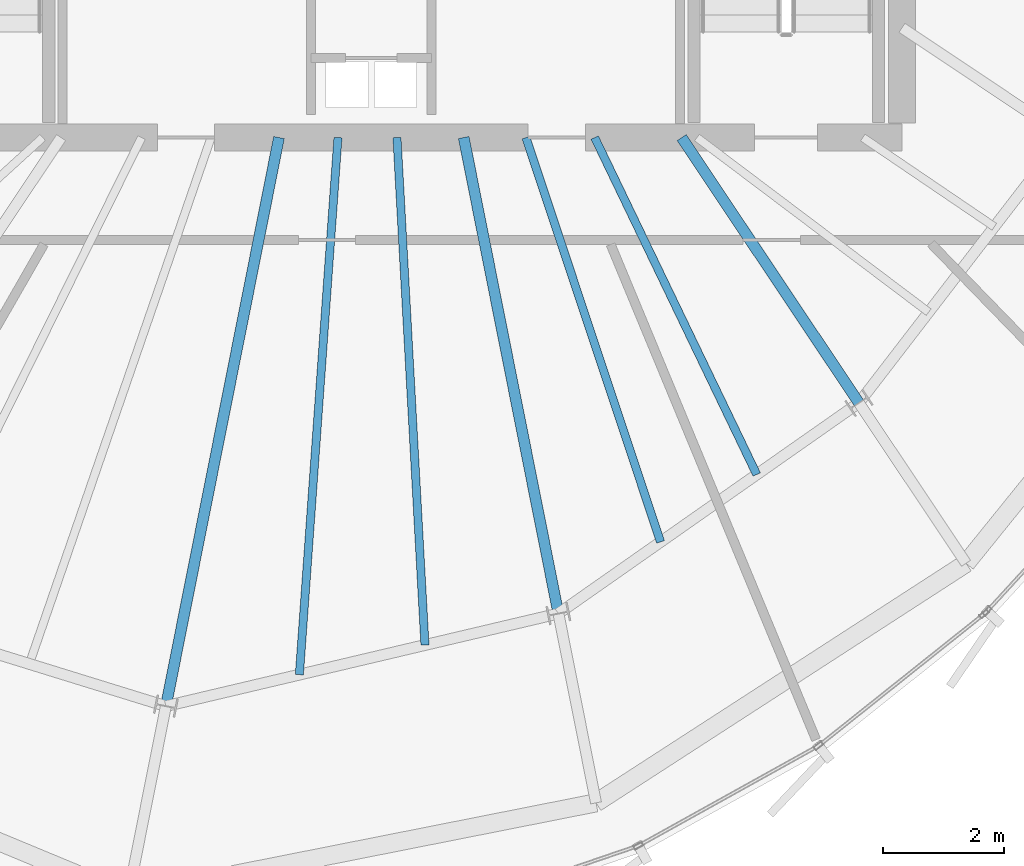
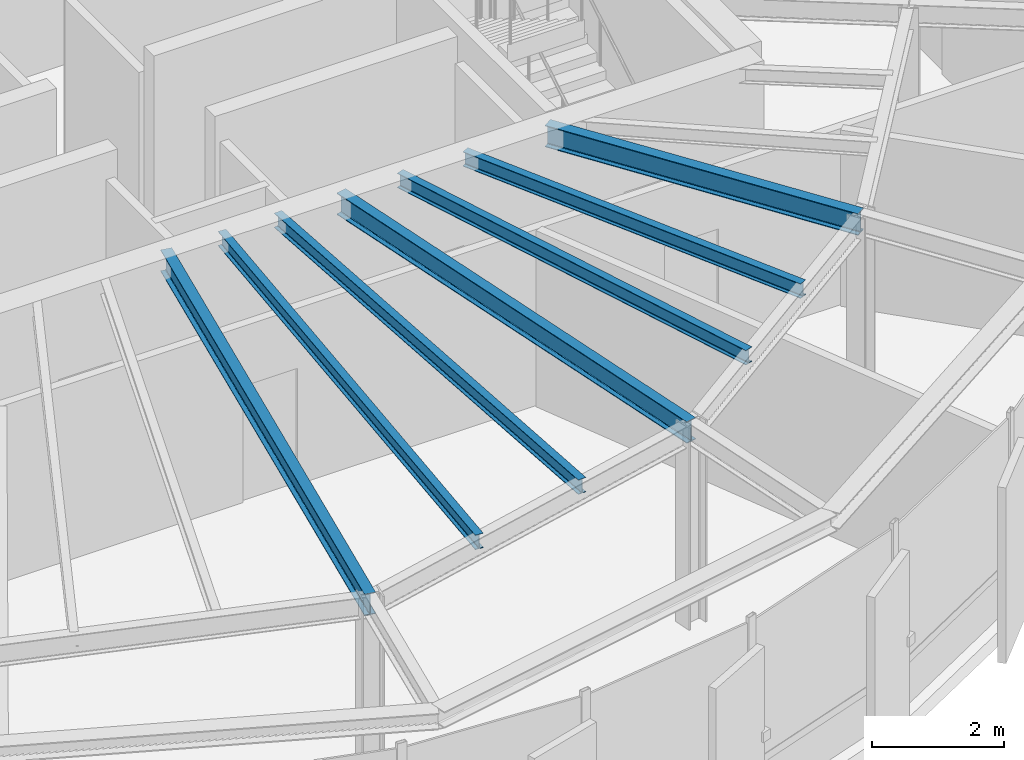
# One storey, part 8 of 27: 7 beams.
"""IFC4 building model written with IfcOpenShell, lengths in metres."""

from ifc_helpers import new_model, si_unit, direction, frame, origin, origin_2d, place, context, subcontext, project, spatial, i_section, extrude, source, transform, mapped, material, material_profile, profile_set, type_object, element, save


model = new_model("IFC4")

# Units and contexts
model_context = context("Model", 3, precision=1e-05, world=origin(), true_north=direction((0.0, 1.0)))
body_context = subcontext(model_context, "Body", "Model", "MODEL_VIEW")
ifc_project = project(units=[si_unit("LENGTHUNIT", "METRE"), si_unit("AREAUNIT", "SQUARE_METRE"), si_unit("VOLUMEUNIT", "CUBIC_METRE"), si_unit("PLANEANGLEUNIT", "RADIAN"), si_unit("MASSUNIT", "GRAM", prefix="KILO"), si_unit("THERMODYNAMICTEMPERATUREUNIT", "KELVIN")], contexts=[model_context])

# Site, building, storey
site_placement = place(None, origin())
site = spatial("IfcSite", under=ifc_project, at=site_placement, CompositionType="ELEMENT")
building_placement = place(site_placement, origin())
building = spatial("IfcBuilding", under=site, at=building_placement, Name="Kethvar Cultural Tower", CompositionType="ELEMENT")
storey_placement = place(building_placement, frame((0.0, 0.0, 308.300048828125)))
storey = spatial("IfcBuildingStorey", under=building, at=storey_placement, Name="L82", CompositionType="ELEMENT", Elevation=308.300048828125)

# Beams
ifc_material = material(Name="Steel S355J2", Category="steel")
ifc_material_profile_1 = material_profile(ifc_material, i_section(OverallWidth=0.135009765625, OverallDepth=0.27001953125, WebThickness=0.006591796875, FlangeThickness=0.01025390625, FilletRadius=0.014892578125, at=origin_2d()), Name="Steel S355J2 — IPE270")
ifc_profile_set_1 = profile_set([ifc_material_profile_1], Name="Steel S355J2 — IPE270")
beam_type_1 = type_object("IfcBeamType", Name="BM-J270", PredefinedType="JOIST", material=ifc_profile_set_1)
shared_shape_1 = source(origin(), body_context, "Body", "SweptSolid", [
    extrude(i_section(OverallWidth=0.135009765625, OverallDepth=0.27001953125, WebThickness=0.006591796875, FlangeThickness=0.01025390625, FilletRadius=0.014892578125, at=origin_2d()), origin(), (0.0, 0.0, 1.0), 8.9296875),
])
beam_1_placement = place(storey_placement, frame((46.246337890625, 20.10009765625, 3.597900390625), z_axis=(-0.071713352262, -0.99742528297, 0.0), x_axis=(0.99742528297, -0.071713352262, 0.0)))
element("IfcBeam", 1, at=beam_1_placement, inside=storey, type_object=beam_type_1, Name="L82 Composite Floor Joist J-12A", PredefinedType="JOIST", context=body_context, shape_type="MappedRepresentation", body=[
    mapped(shared_shape_1, transform((0.0, 0.0, 0.0), scale=1.0)),
])
shared_shape_2 = source(origin(), body_context, "Body", "SweptSolid", [
    extrude(i_section(OverallWidth=0.135009765625, OverallDepth=0.27001953125, WebThickness=0.006591796875, FlangeThickness=0.01025390625, FilletRadius=0.014892578125, at=origin_2d()), origin(), (0.0, 0.0, 1.0), 8.427978515625),
])
beam_2_placement = place(storey_placement, frame((47.224609375, 20.10009765625, 3.597900390625), z_axis=(0.055067321535, -0.998482643865, 0.0), x_axis=(0.998482643865, 0.055067321535, 0.0)))
element("IfcBeam", 2, at=beam_2_placement, inside=storey, type_object=beam_type_1, Name="L82 Composite Floor Joist J-12B", PredefinedType="JOIST", context=body_context, shape_type="MappedRepresentation", body=[
    mapped(shared_shape_2, transform((0.0, 0.0, 0.0), scale=1.0)),
])
shared_shape_3 = source(origin(), body_context, "Body", "SweptSolid", [
    extrude(i_section(OverallWidth=0.135009765625, OverallDepth=0.27001953125, WebThickness=0.006591796875, FlangeThickness=0.01025390625, FilletRadius=0.014892578125, at=origin_2d()), origin(), (0.0, 0.0, 1.0), 7.0673828125),
])
beam_3_placement = place(storey_placement, frame((49.363525390625, 20.10009765625, 3.597900390625), z_axis=(0.315875389768, -0.948800684095, 0.0), x_axis=(0.948800684095, 0.315875389768, 0.0)))
element("IfcBeam", 3, at=beam_3_placement, inside=storey, type_object=beam_type_1, Name="L82 Composite Floor Joist J-13A", PredefinedType="JOIST", context=body_context, shape_type="MappedRepresentation", body=[
    mapped(shared_shape_3, transform((0.0, 0.0, 0.0), scale=1.0)),
])
shared_shape_4 = source(origin(), body_context, "Body", "SweptSolid", [
    extrude(i_section(OverallWidth=0.135009765625, OverallDepth=0.27001953125, WebThickness=0.006591796875, FlangeThickness=0.01025390625, FilletRadius=0.014892578125, at=origin_2d()), origin(), (0.0, 0.0, 1.0), 6.2001953125),
])
beam_4_placement = place(storey_placement, frame((50.50341796875, 20.10009765625, 3.597900390625), z_axis=(0.433410678328, -0.901196529017, 0.0), x_axis=(0.901196529017, 0.433410678328, 0.0)))
element("IfcBeam", 4, at=beam_4_placement, inside=storey, type_object=beam_type_1, Name="L82 Composite Floor Joist J-13B", PredefinedType="JOIST", context=body_context, shape_type="MappedRepresentation", body=[
    mapped(shared_shape_4, transform((0.0, 0.0, 0.0), scale=1.0)),
])
ifc_material_profile_2 = material_profile(ifc_material, i_section(OverallWidth=0.179931640625, OverallDepth=0.39990234375, WebThickness=0.008544921875, FlangeThickness=0.013427734375, FilletRadius=0.02099609375, at=origin_2d()), Name="Steel S355J2 — IPE400")
ifc_profile_set_2 = profile_set([ifc_material_profile_2], Name="Steel S355J2 — IPE400")
beam_type_2 = type_object("IfcBeamType", Name="BM-IPE400", PredefinedType="BEAM", material=ifc_profile_set_2)
shared_shape_5 = source(origin(), body_context, "Body", "SweptSolid", [
    extrude(i_section(OverallWidth=0.179931640625, OverallDepth=0.39990234375, WebThickness=0.008544921875, FlangeThickness=0.013427734375, FilletRadius=0.02099609375, at=origin_2d()), origin(), (0.0, 0.0, 1.0), 9.613525390625),
])
beam_5_placement = place(storey_placement, frame((45.268310546875, 20.10009765625, 3.532958984375), z_axis=(-0.195090428816, -0.980785259159, 0.0), x_axis=(0.980785259159, -0.195090428816, 0.0)))
element("IfcBeam", 5, at=beam_5_placement, inside=storey, type_object=beam_type_2, Name="L82 Primary Radial Beam RB-12", PredefinedType="BEAM", context=body_context, shape_type="MappedRepresentation", body=[
    mapped(shared_shape_5, transform((0.0, 0.0, 0.0), scale=1.0)),
])
shared_shape_6 = source(origin(), body_context, "Body", "SweptSolid", [
    extrude(i_section(OverallWidth=0.179931640625, OverallDepth=0.39990234375, WebThickness=0.008544921875, FlangeThickness=0.013427734375, FilletRadius=0.02099609375, at=origin_2d()), origin(), (0.0, 0.0, 1.0), 8.0478515625),
])
beam_6_placement = place(storey_placement, frame((48.33154296875, 20.10009765625, 3.532958984375), z_axis=(0.195089278796, -0.980785487912, 0.0), x_axis=(0.980785487912, 0.195089278796, 0.0)))
element("IfcBeam", 6, at=beam_6_placement, inside=storey, type_object=beam_type_2, Name="L82 Primary Radial Beam RB-13", PredefinedType="BEAM", context=body_context, shape_type="MappedRepresentation", body=[
    mapped(shared_shape_6, transform((0.0, 0.0, 0.0), scale=1.0)),
])
shared_shape_7 = source(origin(), body_context, "Body", "SweptSolid", [
    extrude(i_section(OverallWidth=0.179931640625, OverallDepth=0.39990234375, WebThickness=0.008544921875, FlangeThickness=0.013427734375, FilletRadius=0.02099609375, at=origin_2d()), origin(), (0.0, 0.0, 1.0), 5.291748046875),
])
beam_7_placement = place(storey_placement, frame((51.945068359375, 20.10009765625, 3.532958984375), z_axis=(0.555572931011, -0.831467809556, 0.0), x_axis=(0.831467809556, 0.555572931011, 0.0)))
element("IfcBeam", 7, at=beam_7_placement, inside=storey, type_object=beam_type_2, Name="L82 Primary Radial Beam RB-14", PredefinedType="BEAM", context=body_context, shape_type="MappedRepresentation", body=[
    mapped(shared_shape_7, transform((0.0, 0.0, 0.0), scale=1.0)),
])

save(model, "model.ifc")
